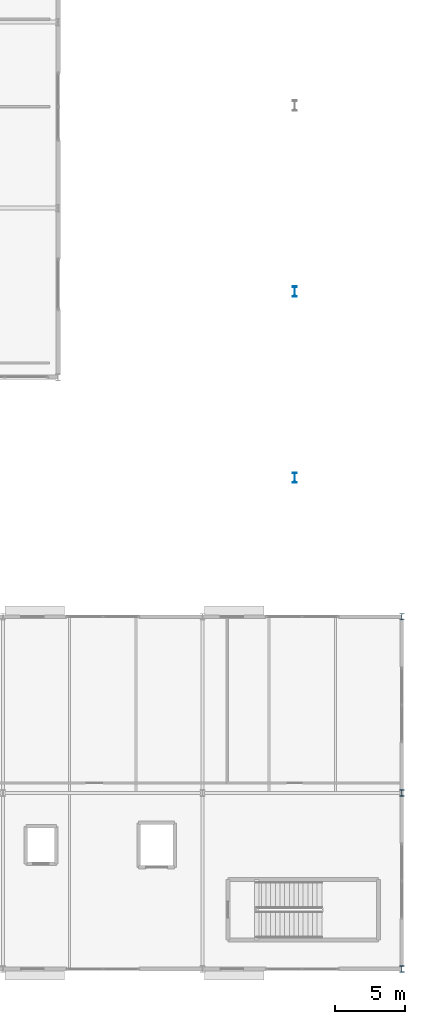
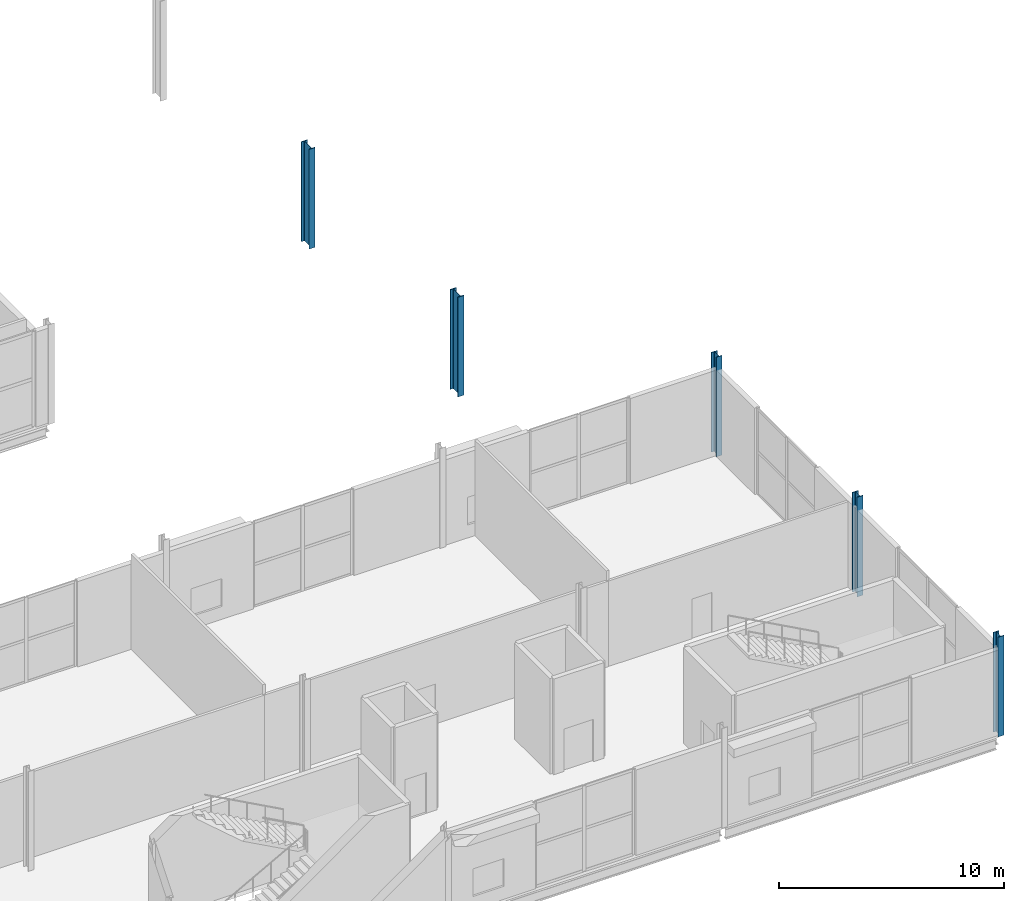
# One storey, part 12 of 84: 5 columns.
"""IFC4 building model written with IfcOpenShell, lengths in metres."""

from ifc_helpers import new_model, si_unit, direction, frame, origin, origin_2d, place, context, subcontext, project, spatial, i_section, extrude, material, material_profile, profile_set, type_object, element, save


model = new_model("IFC4")

# Units and contexts
model_context = context("Model", 3, precision=1e-05, world=origin(), true_north=direction((0.0, 1.0)))
body_context = subcontext(model_context, "Body", "Model", "MODEL_VIEW")
ifc_project = project(units=[si_unit("LENGTHUNIT", "METRE"), si_unit("AREAUNIT", "SQUARE_METRE"), si_unit("VOLUMEUNIT", "CUBIC_METRE"), si_unit("PLANEANGLEUNIT", "RADIAN"), si_unit("MASSUNIT", "GRAM", prefix="KILO")], contexts=[model_context])

# Site, building, storey
site_placement = place(None, origin())
site = spatial("IfcSite", under=ifc_project, at=site_placement, CompositionType="ELEMENT")
building_placement = place(site_placement, origin())
building = spatial("IfcBuilding", under=site, at=building_placement, Name="Kimbaza Rail Terminus", CompositionType="ELEMENT")
storey_placement = place(building_placement, frame((0.0, 0.0, 5.39990234375)))
storey = spatial("IfcBuildingStorey", under=building, at=storey_placement, Name="L01", CompositionType="ELEMENT", Elevation=5.39990234375)

# Columns
ifc_material_1 = material(Name="Steel S355", Category="steel")
ifc_material_profile_1 = material_profile(ifc_material_1, i_section(OverallWidth=0.300048828125, OverallDepth=0.449951171875, WebThickness=0.013916015625, FlangeThickness=0.02587890625, FilletRadius=0.027099609375, at=origin_2d()), Name="HEB 450")
ifc_profile_set_1 = profile_set([ifc_material_profile_1], Name="Steel S355")
column_type_1 = type_object("IfcColumnType", Name="STR-COL-HEB450", PredefinedType="COLUMN", material=ifc_profile_set_1)
for number, where, z_axis, x_axis, name in (
    (1, (214.0, 13.0, 0.0), (0.0, 0.0, 1.0), (1.0, 0.0, 0.0), "Retail Pavilion Column L01 (4,0)"),
    (2, (214.0, 25.5, 0.0), (0.0, 0.0, 1.0), (1.0, 0.0, 0.0), "Retail Pavilion Column L01 (4,1)"),
    (3, (214.0, 38.0, 0.0), (0.0, 0.0, 1.0), (1.0, 0.0, 0.0), "Retail Pavilion Column L01 (4,2)"),
):
    element("IfcColumn", number, at=place(storey_placement, frame(where, z_axis=z_axis, x_axis=x_axis)), inside=storey, type_object=column_type_1, Name=name, PredefinedType="COLUMN", context=body_context, shape_type="SweptSolid", body=[
        extrude(i_section(OverallWidth=0.300048828125, OverallDepth=0.449951171875, WebThickness=0.013916015625, FlangeThickness=0.02587890625, FilletRadius=0.027099609375, at=origin_2d()), origin(), (0.0, 0.0, 1.0), 5.400146484375),
    ])
ifc_material_2 = material(Name="Steel S355", Category="steel")
ifc_material_profile_2 = material_profile(ifc_material_2, i_section(OverallWidth=0.303955078125, OverallDepth=0.716064453125, WebThickness=0.02099609375, FlangeThickness=0.0400390625, FilletRadius=0.027099609375, at=origin_2d()), Name="HEM 700")
ifc_profile_set_2 = profile_set([ifc_material_profile_2], Name="Steel S355")
column_type_2 = type_object("IfcColumnType", Name="STR-COL-HEM700", PredefinedType="COLUMN", material=ifc_profile_set_2)
for number, where, z_axis, x_axis, name in (
    (4, (206.39990234375, 47.8759765625, 0.0), (0.0, 0.0, 1.0), (1.0, 0.0, 0.0), "Viaduct Pier Column L01 VP-12"),
    (5, (206.39990234375, 61.075927734375, 0.0), (0.0, 0.0, 1.0), (1.0, 0.0, 0.0), "Viaduct Pier Column L01 VP-12"),
):
    element("IfcColumn", number, at=place(storey_placement, frame(where, z_axis=z_axis, x_axis=x_axis)), inside=storey, type_object=column_type_2, Name=name, PredefinedType="COLUMN", context=body_context, shape_type="SweptSolid", body=[
        extrude(i_section(OverallWidth=0.303955078125, OverallDepth=0.716064453125, WebThickness=0.02099609375, FlangeThickness=0.0400390625, FilletRadius=0.027099609375, at=origin_2d()), origin(), (0.0, 0.0, 1.0), 5.400146484375),
    ])

save(model, "model.ifc")
